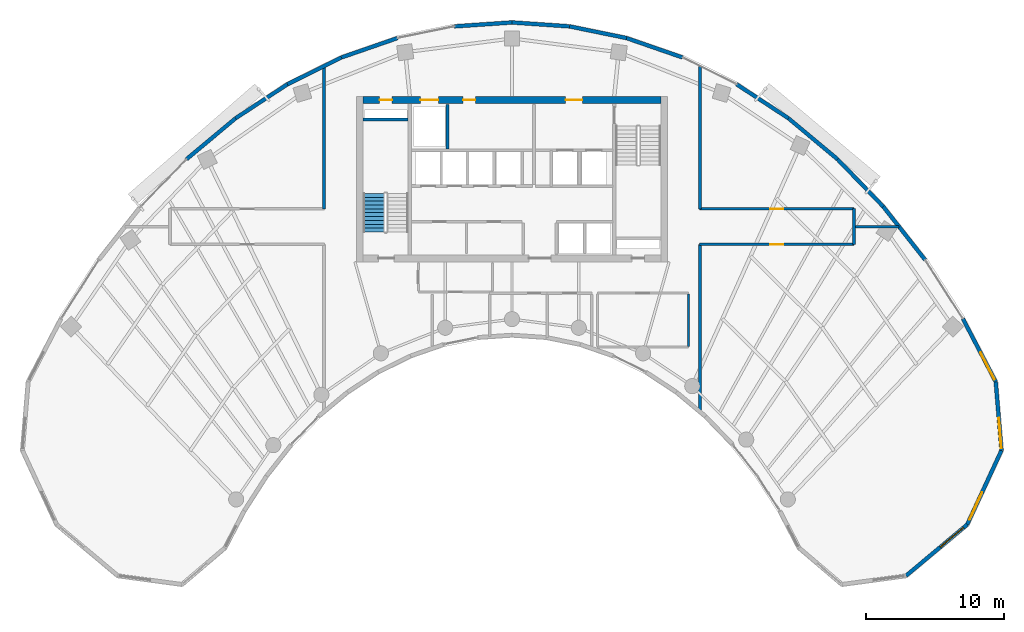
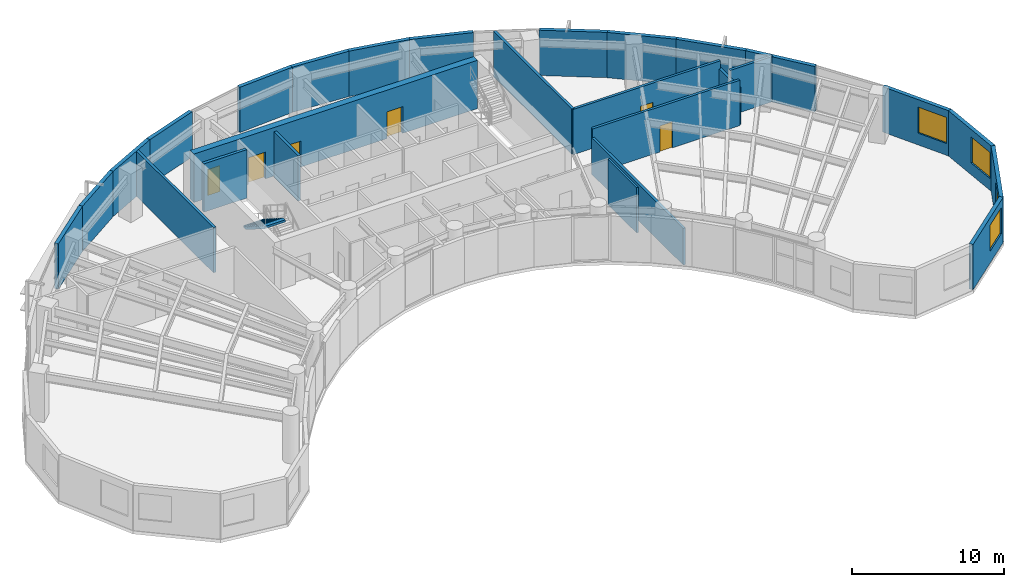
# One storey, part 10 of 13: 27 walls, 6 doors, 4 windows, 1 stair flight, 10 openings, 1 element without a shape of its own.
"""IFC4 building model written with IfcOpenShell, lengths in metres."""

from ifc_helpers import new_model, si_unit, direction, frame, frame_2d, origin, place, context, subcontext, project, spatial, polyline, rectangle, outline, extrude, source, transform, mapped, material, layer, layer_set, type_object, type_shapes, element, fill, aggregate, save


model = new_model("IFC4")

# Units and contexts
model_context = context("Model", 3, precision=1e-05, world=origin(), true_north=direction((0.0, 1.0)))
body_context = subcontext(model_context, "Body", "Model", "MODEL_VIEW")
ifc_project = project(units=[si_unit("LENGTHUNIT", "METRE"), si_unit("AREAUNIT", "SQUARE_METRE"), si_unit("VOLUMEUNIT", "CUBIC_METRE"), si_unit("PLANEANGLEUNIT", "RADIAN"), si_unit("MASSUNIT", "GRAM", prefix="KILO")], contexts=[model_context])

# Site, building, storey
site_placement = place(None, origin())
site = spatial("IfcSite", under=ifc_project, at=site_placement, CompositionType="ELEMENT")
building_placement = place(site_placement, origin())
building = spatial("IfcBuilding", under=site, at=building_placement, Name="Breltana Convention Tower", CompositionType="ELEMENT")
storey_placement = place(building_placement, frame((0.0, 0.0, 154.5)))
storey = spatial("IfcBuildingStorey", under=building, at=storey_placement, Name="L37", CompositionType="ELEMENT", Elevation=154.5)

# Wall, openings, doors
ifc_material_1 = material(Name="Concrete C60/75", Category="concrete")
ifc_layer_1 = layer(ifc_material_1, 0.5, Name="Concrete C60/75")
ifc_layer_set_1 = layer_set([ifc_layer_1], Name="Concrete C60/75")
wall_type_1 = type_object("IfcWallType", Name="SW-CORE-500", PredefinedType="SHEAR", material=ifc_layer_set_1)
shared_shape_1 = source(origin(), body_context, "Body", "SweptSolid", [
    extrude(rectangle(XDim=21.60009765625, YDim=0.5, at=frame_2d((10.800048828125, 0.0))), origin(), (0.0, 0.0, 1.0), 3.89990234375),
])
wall_1_placement = place(storey_placement, frame((37.199951171875, 71.949951171875, 0.0), z_axis=(0.0, 0.0, 1.0), x_axis=(1.0, 0.0, 0.0)))
wall_1 = element("IfcWall", 1, at=wall_1_placement, inside=storey, type_object=wall_type_1, Name="L37 North Core Shear Wall", PredefinedType="SHEAR", context=body_context, shape_type="MappedRepresentation", body=[
    mapped(shared_shape_1, transform((0.0, 0.0, 0.0), scale=1.0)),
])
opening_1_placement = place(wall_1_placement, frame((1.199951171875, 0.0, 0.0)))
opening_1 = element("IfcOpeningElement", 2, at=opening_1_placement, cuts=wall_1, Name="Opening D-18", PredefinedType="OPENING", context=body_context, shape_type="SweptSolid", body=[
    extrude(rectangle(XDim=0.89990234375, YDim=2.10009765625, at=frame_2d((0.449951171875, 1.050048828125))), frame((0.0, 0.260009765625, 0.0), z_axis=(0.0, -1.0, 0.0), x_axis=(1.0, 0.0, 0.0)), (0.0, 0.0, 1.0), 0.52001953125),
])
opening_2_placement = place(wall_1_placement, frame((14.699951171875, 0.0, 0.0)))
opening_2 = element("IfcOpeningElement", 3, at=opening_2_placement, cuts=wall_1, Name="Opening D-09", PredefinedType="OPENING", context=body_context, shape_type="SweptSolid", body=[
    extrude(rectangle(XDim=1.199951171875, YDim=2.14990234375, at=frame_2d((0.60009765625, 1.074951171875))), frame((0.0, 0.260009765625, 0.0), z_axis=(0.0, -1.0, 0.0), x_axis=(1.0, 0.0, 0.0)), (0.0, 0.0, 1.0), 0.52001953125),
])
opening_3_placement = place(wall_1_placement, frame((4.14990234375, 0.0, 0.0)))
opening_3 = element("IfcOpeningElement", 4, at=opening_3_placement, cuts=wall_1, Name="Opening LD-01", PredefinedType="OPENING", context=body_context, shape_type="SweptSolid", body=[
    extrude(rectangle(XDim=1.300048828125, YDim=2.14990234375, at=frame_2d((0.64990234375, 1.074951171875))), frame((0.0, 0.260009765625, 0.0), z_axis=(0.0, -1.0, 0.0), x_axis=(1.0, 0.0, 0.0)), (0.0, 0.0, 1.0), 0.52001953125),
])
opening_4_placement = place(wall_1_placement, frame((7.25, 0.0, 0.0)))
opening_4 = element("IfcOpeningElement", 5, at=opening_4_placement, cuts=wall_1, Name="Opening D-18", PredefinedType="OPENING", context=body_context, shape_type="SweptSolid", body=[
    extrude(rectangle(XDim=0.89990234375, YDim=2.10009765625, at=frame_2d((0.449951171875, 1.050048828125))), frame((0.0, 0.260009765625, 0.0), z_axis=(0.0, -1.0, 0.0), x_axis=(1.0, 0.0, 0.0)), (0.0, 0.0, 1.0), 0.52001953125),
])
ifc_material_2 = material(Name="Steel Riser Fire Door", Category="steel")
door_type_1 = type_object("IfcDoorType", Name="DR-FD60-900", OperationType="NOTDEFINED", PredefinedType="DOOR", material=ifc_material_2)
shared_shape_2 = source(origin(), body_context, "Body", "SweptSolid", [
    extrude(rectangle(XDim=0.89990234375, YDim=2.10009765625, at=frame_2d((0.449951171875, 1.050048828125))), frame((0.0, 0.02490234375, 0.0), z_axis=(0.0, -1.0, 0.0), x_axis=(1.0, 0.0, 0.0)), (0.0, 0.0, 1.0), 0.050048828125),
])
type_shapes(door_type_1, [shared_shape_2])
door_1_placement = place(opening_1_placement, origin())
door_1 = element("IfcDoor", 6, at=door_1_placement, inside=storey, type_object=door_type_1, Name="L37 Core Riser Access Door D-L37-RS1", OperationType="SINGLE_SWING_LEFT", OverallHeight=2.10009765625, OverallWidth=0.89990234375, PredefinedType="DOOR", context=body_context, shape_type="MappedRepresentation", body=[
    mapped(shared_shape_2, transform((0.0, 0.0, 0.0), scale=1.0)),
])
fill(opening_1, door_1)
door_2_placement = place(opening_4_placement, origin())
door_2 = element("IfcDoor", 7, at=door_2_placement, inside=storey, type_object=door_type_1, Name="L37 interior door D-L37-CRA1", OperationType="SINGLE_SWING_LEFT", OverallHeight=2.10009765625, OverallWidth=0.89990234375, PredefinedType="DOOR", context=body_context, shape_type="MappedRepresentation", body=[
    mapped(shared_shape_2, transform((0.0, 0.0, 0.0), scale=1.0)),
])
fill(opening_4, door_2)
ifc_material_3 = material(Name="Steel Fire Lobby Door", Category="steel")
door_type_2 = type_object("IfcDoorType", Name="DR-FD120-1200", OperationType="NOTDEFINED", PredefinedType="DOOR", material=ifc_material_3)
shared_shape_3 = source(origin(), body_context, "Body", "SweptSolid", [
    extrude(rectangle(XDim=1.199951171875, YDim=2.14990234375, at=frame_2d((0.60009765625, 1.074951171875))), frame((0.0, 0.02490234375, 0.0), z_axis=(0.0, -1.0, 0.0), x_axis=(1.0, 0.0, 0.0)), (0.0, 0.0, 1.0), 0.050048828125),
])
type_shapes(door_type_2, [shared_shape_3])
door_3_placement = place(opening_2_placement, origin())
door_3 = element("IfcDoor", 8, at=door_3_placement, inside=storey, type_object=door_type_2, Name="L37 interior door D-L37-FFL-N", OperationType="SINGLE_SWING_RIGHT", OverallHeight=2.14990234375, OverallWidth=1.199951171875, PredefinedType="DOOR", context=body_context, shape_type="MappedRepresentation", body=[
    mapped(shared_shape_3, transform((0.0, 0.0, 0.0), scale=1.0)),
])
fill(opening_2, door_3)
ifc_material_4 = material(Name="Stainless Steel Brushed", Category="steel")
door_type_3 = type_object("IfcDoorType", Name="DR-LD-SRV-1300", OperationType="DOUBLE_DOOR_SLIDING", PredefinedType="DOOR", material=ifc_material_4)
shared_shape_4 = source(origin(), body_context, "Body", "SweptSolid", [
    extrude(rectangle(XDim=1.300048828125, YDim=2.14990234375, at=frame_2d((0.64990234375, 1.074951171875))), frame((0.0, 0.02490234375, 0.0), z_axis=(0.0, -1.0, 0.0), x_axis=(1.0, 0.0, 0.0)), (0.0, 0.0, 1.0), 0.050048828125),
])
type_shapes(door_type_3, [shared_shape_4])
door_4_placement = place(opening_3_placement, origin())
door_4 = element("IfcDoor", 9, at=door_4_placement, inside=storey, type_object=door_type_3, Name="L37 Lift Landing Door D-L37-LD-SV1", OperationType="DOUBLE_DOOR_SLIDING", OverallHeight=2.14990234375, OverallWidth=1.300048828125, PredefinedType="DOOR", context=body_context, shape_type="MappedRepresentation", body=[
    mapped(shared_shape_4, transform((0.0, 0.0, 0.0), scale=1.0)),
])
fill(opening_3, door_4)

# Wall
ifc_material_5 = material(Name="Concrete C50/60", Category="concrete")
ifc_layer_2 = layer(ifc_material_5, 0.39990234375, Name="Concrete C50/60")
ifc_layer_set_2 = layer_set([ifc_layer_2], Name="Concrete C50/60")
wall_type_2 = type_object("IfcWallType", Name="SW-CORE-400", PredefinedType="SHEAR", material=ifc_layer_set_2)
shared_shape_5 = source(origin(), body_context, "Body", "SweptSolid", [
    extrude(rectangle(XDim=3.27001953125, YDim=0.219970703125, at=frame_2d((1.635009765625, 0.0))), origin(), (0.0, 0.0, 1.0), 3.89990234375),
])
wall_2_placement = place(storey_placement, frame((37.199951171875, 70.510009765625, 0.0), z_axis=(0.0, 0.0, 1.0), x_axis=(1.0, 0.0, 0.0)))
element("IfcWall", 10, at=wall_2_placement, inside=storey, type_object=wall_type_2, Name="L37 ST-1 Stairwell North Bearing Wall", PredefinedType="SHEAR", context=body_context, shape_type="MappedRepresentation", body=[
    mapped(shared_shape_5, transform((0.0, 0.0, 0.0), scale=1.0)),
])

# Wall, opening, window
ifc_material_6 = material(Name="Limestone Buff Insulated Wall", Category="masonry")
ifc_layer_3 = layer(ifc_material_6, 0.280029296875, Name="Limestone Buff Insulated Wall")
ifc_layer_set_3 = layer_set([ifc_layer_3], Name="Limestone Buff Insulated Wall")
wall_type_3 = type_object("IfcWallType", Name="WL-EXT-NOSE-280", PredefinedType="SOLIDWALL", material=ifc_layer_set_3)
shared_shape_6 = source(origin(), body_context, "Body", "SweptSolid", [
    extrude(rectangle(XDim=4.994384765625, YDim=0.280029296875, at=frame_2d((2.4970703125, 0.0))), origin(), (0.0, 0.0, 1.0), 3.64990234375),
])
wall_3_placement = place(storey_placement, frame((83.102294921875, 51.48876953125, 0.0), z_axis=(0.0, 0.0, 1.0), x_axis=(0.083344839916, -0.996520766296, 0.0)))
wall_3 = element("IfcWall", 11, at=wall_3_placement, inside=storey, type_object=wall_type_3, Name="L37 curved limestone nose wall E1", PredefinedType="SOLIDWALL", context=body_context, shape_type="MappedRepresentation", body=[
    mapped(shared_shape_6, transform((0.0, 0.0, 0.0), scale=1.0)),
])
opening_5_placement = place(wall_3_placement, frame((2.634521484375, 0.0, 0.949951171875)))
opening_5 = element("IfcOpeningElement", 12, at=opening_5_placement, cuts=wall_3, Name="Opening W-03", PredefinedType="OPENING", context=body_context, shape_type="SweptSolid", body=[
    extrude(rectangle(XDim=2.199951171875, YDim=2.10009765625, at=frame_2d((1.10009765625, 1.050048828125))), frame((0.0, 0.14990234375, 0.0), z_axis=(0.0, -1.0, 0.0), x_axis=(1.0, 0.0, 0.0)), (0.0, 0.0, 1.0), 0.300048828125),
])
ifc_material_7 = material(Name="Glass Low-E Insulated Window", Category="glass")
window_type = type_object("IfcWindowType", Name="WN-NOSE-2200X2100", PartitioningType="TRIPLE_PANEL_VERTICAL", PredefinedType="WINDOW", material=ifc_material_7)
shared_shape_7 = source(origin(), body_context, "Body", "SweptSolid", [
    extrude(rectangle(XDim=2.199951171875, YDim=2.10009765625, at=frame_2d((1.10009765625, 1.050048828125))), frame((0.0, 0.030029296875, 0.0), z_axis=(0.0, -1.0, 0.0), x_axis=(1.0, 0.0, 0.0)), (0.0, 0.0, 1.0), 0.06005859375),
])
type_shapes(window_type, [shared_shape_7])
window_1_placement = place(opening_5_placement, origin())
window_1 = element("IfcWindow", 13, at=window_1_placement, inside=storey, type_object=window_type, Name="L37 nose window E1", OverallHeight=2.10009765625, OverallWidth=2.199951171875, PartitioningType="TRIPLE_PANEL_VERTICAL", PredefinedType="WINDOW", context=body_context, shape_type="MappedRepresentation", body=[
    mapped(shared_shape_7, transform((0.0, 0.0, 0.0), scale=1.0)),
])
fill(opening_5, window_1)

shared_shape_8 = source(origin(), body_context, "Body", "SweptSolid", [
    extrude(rectangle(XDim=5.927490234375, YDim=0.280029296875, at=frame_2d((2.9638671875, 0.0))), origin(), (0.0, 0.0, 1.0), 3.64990234375),
])
wall_4_placement = place(storey_placement, frame((83.5185546875, 46.51171875, 0.0), z_axis=(0.0, 0.0, 1.0), x_axis=(-0.419656204795, -0.907683132914, 0.0)))
wall_4 = element("IfcWall", 14, at=wall_4_placement, inside=storey, type_object=wall_type_3, Name="L37 curved limestone nose wall E2", PredefinedType="SOLIDWALL", context=body_context, shape_type="MappedRepresentation", body=[
    mapped(shared_shape_8, transform((0.0, 0.0, 0.0), scale=1.0)),
])
opening_6_placement = place(wall_4_placement, frame((3.345703125, 0.0, 0.949951171875)))
opening_6 = element("IfcOpeningElement", 15, at=opening_6_placement, cuts=wall_4, Name="Opening W-03", PredefinedType="OPENING", context=body_context, shape_type="SweptSolid", body=[
    extrude(rectangle(XDim=2.199951171875, YDim=2.10009765625, at=frame_2d((1.10009765625, 1.050048828125))), frame((0.0, 0.14990234375, 0.0), z_axis=(0.0, -1.0, 0.0), x_axis=(1.0, 0.0, 0.0)), (0.0, 0.0, 1.0), 0.300048828125),
])
window_2_placement = place(opening_6_placement, origin())
window_2 = element("IfcWindow", 16, at=window_2_placement, inside=storey, type_object=window_type, Name="L37 nose window E2", OverallHeight=2.10009765625, OverallWidth=2.199951171875, PartitioningType="TRIPLE_PANEL_VERTICAL", PredefinedType="WINDOW", context=body_context, shape_type="MappedRepresentation", body=[
    mapped(shared_shape_7, transform((0.0, 0.0, 0.0), scale=1.0)),
])
fill(opening_6, window_2)

shared_shape_9 = source(origin(), body_context, "Body", "SweptSolid", [
    extrude(rectangle(XDim=5.786376953125, YDim=0.280029296875, at=frame_2d((2.89306640625, 0.0))), origin(), (0.0, 0.0, 1.0), 3.64990234375),
])
wall_5_placement = place(storey_placement, frame((81.031005859375, 41.13134765625, 0.0), z_axis=(0.0, 0.0, 1.0), x_axis=(-0.766711306852, -0.641992034176, 0.0)))
wall_5 = element("IfcWall", 17, at=wall_5_placement, inside=storey, type_object=wall_type_3, Name="L37 curved limestone nose wall E3", PredefinedType="SOLIDWALL", context=body_context, shape_type="MappedRepresentation", body=[
    mapped(shared_shape_9, transform((0.0, 0.0, 0.0), scale=1.0)),
])
opening_7_placement = place(wall_5_placement, frame((0.3466796875, 0.0, 0.949951171875)))
opening_7 = element("IfcOpeningElement", 18, at=opening_7_placement, cuts=wall_5, Name="Opening W-03", PredefinedType="OPENING", context=body_context, shape_type="SweptSolid", body=[
    extrude(rectangle(XDim=2.199951171875, YDim=2.10009765625, at=frame_2d((1.10009765625, 1.050048828125))), frame((0.0, 0.14990234375, 0.0), z_axis=(0.0, -1.0, 0.0), x_axis=(1.0, 0.0, 0.0)), (0.0, 0.0, 1.0), 0.300048828125),
])
window_3_placement = place(opening_7_placement, origin())
window_3 = element("IfcWindow", 19, at=window_3_placement, inside=storey, type_object=window_type, Name="L37 nose window E3", OverallHeight=2.10009765625, OverallWidth=2.199951171875, PartitioningType="TRIPLE_PANEL_VERTICAL", PredefinedType="WINDOW", context=body_context, shape_type="MappedRepresentation", body=[
    mapped(shared_shape_7, transform((0.0, 0.0, 0.0), scale=1.0)),
])
fill(opening_7, window_3)

shared_shape_10 = source(origin(), body_context, "Body", "SweptSolid", [
    extrude(rectangle(XDim=5.1708984375, YDim=0.280029296875, at=frame_2d((2.58544921875, 0.0))), origin(), (0.0, 0.0, 1.0), 3.64990234375),
])
wall_6_placement = place(storey_placement, frame((80.714599609375, 56.075439453125, 0.0), z_axis=(0.0, 0.0, 1.0), x_axis=(0.461752581363, -0.887008767491, 0.0)))
wall_6 = element("IfcWall", 20, at=wall_6_placement, inside=storey, type_object=wall_type_3, Name="L37 curved limestone nose wall E33", PredefinedType="SOLIDWALL", context=body_context, shape_type="MappedRepresentation", body=[
    mapped(shared_shape_10, transform((0.0, 0.0, 0.0), scale=1.0)),
])
opening_8_placement = place(wall_6_placement, frame((2.7783203125, 0.0, 0.949951171875)))
opening_8 = element("IfcOpeningElement", 21, at=opening_8_placement, cuts=wall_6, Name="Opening W-03", PredefinedType="OPENING", context=body_context, shape_type="SweptSolid", body=[
    extrude(rectangle(XDim=2.199951171875, YDim=2.10009765625, at=frame_2d((1.10009765625, 1.050048828125))), frame((0.0, 0.14990234375, 0.0), z_axis=(0.0, -1.0, 0.0), x_axis=(1.0, 0.0, 0.0)), (0.0, 0.0, 1.0), 0.300048828125),
])
window_4_placement = place(opening_8_placement, origin())
window_4 = element("IfcWindow", 22, at=window_4_placement, inside=storey, type_object=window_type, Name="L37 nose window E33", OverallHeight=2.10009765625, OverallWidth=2.199951171875, PartitioningType="TRIPLE_PANEL_VERTICAL", PredefinedType="WINDOW", context=body_context, shape_type="MappedRepresentation", body=[
    mapped(shared_shape_7, transform((0.0, 0.0, 0.0), scale=1.0)),
])
fill(opening_8, window_4)

# Walls
shared_shape_11 = source(origin(), body_context, "Body", "SweptSolid", [
    extrude(rectangle(XDim=4.921630859375, YDim=0.280029296875, at=frame_2d((2.4609375, 0.0))), origin(), (0.0, 0.0, 1.0), 3.64990234375),
])
wall_7_placement = place(storey_placement, frame((74.936279296875, 64.206298828125, 0.0), z_axis=(0.0, 0.0, 1.0), x_axis=(0.61817639101, -0.786039407153, 0.0)))
element("IfcWall", 23, at=wall_7_placement, inside=storey, type_object=wall_type_3, Name="L37 curved limestone nose wall E32", PredefinedType="SOLIDWALL", context=body_context, shape_type="MappedRepresentation", body=[
    mapped(shared_shape_11, transform((0.0, 0.0, 0.0), scale=1.0)),
])
shared_shape_12 = source(origin(), body_context, "Body", "SweptSolid", [
    extrude(rectangle(XDim=4.77587890625, YDim=0.280029296875, at=frame_2d((2.387939453125, 0.0))), origin(), (0.0, 0.0, 1.0), 3.64990234375),
])
wall_8_placement = place(storey_placement, frame((71.618896484375, 67.64208984375, 0.0), z_axis=(0.0, 0.0, 1.0), x_axis=(0.694601811851, -0.719394414055, 0.0)))
element("IfcWall", 24, at=wall_8_placement, inside=storey, type_object=wall_type_3, Name="L37 curved limestone nose wall E31", PredefinedType="SOLIDWALL", context=body_context, shape_type="MappedRepresentation", body=[
    mapped(shared_shape_12, transform((0.0, 0.0, 0.0), scale=1.0)),
])
shared_shape_13 = source(origin(), body_context, "Body", "SweptSolid", [
    extrude(rectangle(XDim=4.633544921875, YDim=0.280029296875, at=frame_2d((2.31689453125, 0.0))), origin(), (0.0, 0.0, 1.0), 3.64990234375),
])
for number, where, z_axis, x_axis, name in (
    (25, (24.381103515625, 67.64208984375, 0.0), (0.0, 0.0, 1.0), (0.767910229096, 0.640557475993, 0.0), "L37 curved limestone nose wall E21"),
    (26, (68.060791015625, 70.610107421875, 0.0), (0.0, 0.0, 1.0), (0.767910229096, -0.640557475993, 0.0), "L37 curved limestone nose wall E30"),
):
    element("IfcWall", number, at=place(storey_placement, frame(where, z_axis=z_axis, x_axis=x_axis)), inside=storey, type_object=wall_type_3, Name=name, PredefinedType="SOLIDWALL", context=body_context, shape_type="MappedRepresentation", body=[
        mapped(shared_shape_13, transform((0.0, 0.0, 0.0), scale=1.0)),
    ])
shared_shape_14 = source(origin(), body_context, "Body", "SweptSolid", [
    extrude(rectangle(XDim=4.500732421875, YDim=0.280029296875, at=frame_2d((2.25048828125, 0.0))), origin(), (0.0, 0.0, 1.0), 3.64990234375),
])
for number, where, z_axis, x_axis, name in (
    (27, (27.939208984375, 70.610107421875, 0.0), (0.0, 0.0, 1.0), (0.835984920737, 0.548752414391, 0.0), "L37 curved limestone nose wall E22"),
    (28, (64.29833984375, 73.079833984375, 0.0), (0.0, 0.0, 1.0), (0.835984920737, -0.548752414391, 0.0), "L37 curved limestone nose wall E29"),
):
    element("IfcWall", number, at=place(storey_placement, frame(where, z_axis=z_axis, x_axis=x_axis)), inside=storey, type_object=wall_type_3, Name=name, PredefinedType="SOLIDWALL", context=body_context, shape_type="MappedRepresentation", body=[
        mapped(shared_shape_14, transform((0.0, 0.0, 0.0), scale=1.0)),
    ])
shared_shape_15 = source(origin(), body_context, "Body", "SweptSolid", [
    extrude(rectangle(XDim=4.289794921875, YDim=0.280029296875, at=frame_2d((2.14501953125, 0.0))), origin(), (0.0, 0.0, 1.0), 3.64990234375),
])
for number, where, z_axis, x_axis, name in (
    (29, (35.629638671875, 75.02685546875, 0.0), (0.0, 0.0, 1.0), (0.944883859218, 0.3274057003, 0.0), "L37 curved limestone nose wall E24"),
    (30, (56.31689453125, 76.431396484375, 0.0), (0.0, 0.0, 1.0), (0.944883859218, -0.3274057003, 0.0), "L37 curved limestone nose wall E28"),
):
    element("IfcWall", number, at=place(storey_placement, frame(where, z_axis=z_axis, x_axis=x_axis)), inside=storey, type_object=wall_type_3, Name=name, PredefinedType="SOLIDWALL", context=body_context, shape_type="MappedRepresentation", body=[
        mapped(shared_shape_15, transform((0.0, 0.0, 0.0), scale=1.0)),
    ])
shared_shape_16 = source(origin(), body_context, "Body", "SweptSolid", [
    extrude(rectangle(XDim=4.223388671875, YDim=0.280029296875, at=frame_2d((2.11181640625, 0.0))), origin(), (0.0, 0.0, 1.0), 3.64990234375),
])
wall_9_placement = place(storey_placement, frame((52.1796875, 77.27978515625, 0.0), z_axis=(0.0, 0.0, 1.0), x_axis=(0.979615245085, -0.200882979858, 0.0)))
element("IfcWall", 31, at=wall_9_placement, inside=storey, type_object=wall_type_3, Name="L37 curved limestone nose wall E27", PredefinedType="SOLIDWALL", context=body_context, shape_type="MappedRepresentation", body=[
    mapped(shared_shape_16, transform((0.0, 0.0, 0.0), scale=1.0)),
])
shared_shape_17 = source(origin(), body_context, "Body", "SweptSolid", [
    extrude(rectangle(XDim=4.189208984375, YDim=0.280029296875, at=frame_2d((2.0947265625, 0.0))), origin(), (0.0, 0.0, 1.0), 3.64990234375),
])
for number, where, z_axis, x_axis, name in (
    (32, (43.8203125, 77.27978515625, 0.0), (0.0, 0.0, 1.0), (0.997700560699, 0.067776036921, 0.0), "L37 curved limestone nose wall E25"),
    (33, (48.0, 77.563720703125, 0.0), (0.0, 0.0, 1.0), (0.997700560699, -0.067776036921, 0.0), "L37 curved limestone nose wall E26"),
):
    element("IfcWall", number, at=place(storey_placement, frame(where, z_axis=z_axis, x_axis=x_axis)), inside=storey, type_object=wall_type_3, Name=name, PredefinedType="SOLIDWALL", context=body_context, shape_type="MappedRepresentation", body=[
        mapped(shared_shape_17, transform((0.0, 0.0, 0.0), scale=1.0)),
    ])
shared_shape_18 = source(origin(), body_context, "Body", "SweptSolid", [
    extrude(rectangle(XDim=4.384033203125, YDim=0.280029296875, at=frame_2d((2.19189453125, 0.0))), origin(), (0.0, 0.0, 1.0), 3.64990234375),
])
wall_10_placement = place(storey_placement, frame((31.70166015625, 73.079833984375, 0.0), z_axis=(0.0, 0.0, 1.0), x_axis=(0.895969968053, 0.444114643248, 0.0)))
element("IfcWall", 34, at=wall_10_placement, inside=storey, type_object=wall_type_3, Name="L37 curved limestone nose wall E23", PredefinedType="SOLIDWALL", context=body_context, shape_type="MappedRepresentation", body=[
    mapped(shared_shape_18, transform((0.0, 0.0, 0.0), scale=1.0)),
])
ifc_material_8 = material(Name="Autoclaved Aerated Concrete Block", Category="concrete")
ifc_layer_4 = layer(ifc_material_8, 0.199951171875, Name="Autoclaved Aerated Concrete Block")
ifc_layer_set_4 = layer_set([ifc_layer_4], Name="Autoclaved Aerated Concrete Block")
wall_type_4 = type_object("IfcWallType", Name="WL-SHAFT-200", PredefinedType="SOLIDWALL", material=ifc_layer_set_4)
shared_shape_19 = source(origin(), body_context, "Body", "SweptSolid", [
    extrude(rectangle(XDim=3.2001953125, YDim=0.199951171875, at=frame_2d((1.60009765625, 0.0))), origin(), (0.0, 0.0, 1.0), 3.64990234375),
])
wall_11_placement = place(storey_placement, frame((43.320068359375, 68.39990234375, 0.0), z_axis=(0.0, 0.0, 1.0), x_axis=(0.0, 1.0, 0.0)))
element("IfcWall", 35, at=wall_11_placement, inside=storey, type_object=wall_type_4, Name="L37 interior partition W-L37-SV-E", PredefinedType="SOLIDWALL", context=body_context, shape_type="MappedRepresentation", body=[
    mapped(shared_shape_19, transform((0.0, 0.0, 0.0), scale=1.0)),
])
ifc_material_9 = material(Name="Gypsum Acoustic Drywall Partition")
ifc_layer_5 = layer(ifc_material_9, 0.14990234375, Name="Gypsum Acoustic Drywall Partition")
ifc_layer_set_5 = layer_set([ifc_layer_5], Name="Gypsum Acoustic Drywall Partition")
wall_type_5 = type_object("IfcWallType", Name="WL-PART-150", PredefinedType="PARTITIONING", material=ifc_layer_set_5)
shared_shape_20 = source(origin(), body_context, "Body", "SweptSolid", [
    extrude(rectangle(XDim=3.78515625, YDim=0.14990234375, at=frame_2d((1.892578125, 0.0))), origin(), (0.0, 0.0, 1.0), 3.64990234375),
])
wall_12_placement = place(storey_placement, frame((60.800048828125, 54.0673828125, 0.0), z_axis=(0.0, 0.0, 1.0), x_axis=(0.0, 1.0, 0.0)))
element("IfcWall", 36, at=wall_12_placement, inside=storey, type_object=wall_type_5, Name="L37 interior partition W-L37-PNT-E", PredefinedType="PARTITIONING", context=body_context, shape_type="MappedRepresentation", body=[
    mapped(shared_shape_20, transform((0.0, 0.0, 0.0), scale=1.0)),
])

# Wall, opening, door
ifc_material_10 = material(Name="Gypsum Acoustic Hotel Wall")
ifc_layer_6 = layer(ifc_material_10, 0.195068359375, Name="Gypsum Acoustic Hotel Wall")
ifc_layer_set_6 = layer_set([ifc_layer_6], Name="Gypsum Acoustic Hotel Wall")
wall_type_6 = type_object("IfcWallType", Name="WL-HOTEL-200", PredefinedType="PARTITIONING", material=ifc_layer_set_6)
shared_shape_21 = source(origin(), body_context, "Body", "SweptSolid", [
    extrude(rectangle(XDim=11.219970703125, YDim=0.195068359375, at=frame_2d((5.60986328125, 0.0))), origin(), (0.0, 0.0, 1.0), 3.64990234375),
])
wall_13_placement = place(storey_placement, frame((61.60009765625, 64.0400390625, 0.0), z_axis=(0.0, 0.0, 1.0), x_axis=(1.0, 0.0, 0.0)))
wall_13 = element("IfcWall", 37, at=wall_13_placement, inside=storey, type_object=wall_type_6, Name="L37 interior partition W-L37-ZEN1-D", PredefinedType="PARTITIONING", context=body_context, shape_type="MappedRepresentation", body=[
    mapped(shared_shape_21, transform((0.0, 0.0, 0.0), scale=1.0)),
])
opening_9_placement = place(wall_13_placement, frame((5.135009765625, 0.0, 0.0)))
opening_9 = element("IfcOpeningElement", 38, at=opening_9_placement, cuts=wall_13, Name="Opening D-17", PredefinedType="OPENING", context=body_context, shape_type="SweptSolid", body=[
    extrude(rectangle(XDim=0.949951171875, YDim=2.10009765625, at=frame_2d((0.47509765625, 1.050048828125))), frame((0.0, 0.107421875, 0.0), z_axis=(0.0, -1.0, 0.0), x_axis=(1.0, 0.0, 0.0)), (0.0, 0.0, 1.0), 0.215087890625),
])
ifc_material_11 = material(Name="Timber Oak Veneer Door", Category="wood")
door_type_4 = type_object("IfcDoorType", Name="DR-INT-950", OperationType="NOTDEFINED", PredefinedType="DOOR", material=ifc_material_11)
shared_shape_22 = source(origin(), body_context, "Body", "SweptSolid", [
    extrude(rectangle(XDim=0.949951171875, YDim=2.10009765625, at=frame_2d((0.47509765625, 1.050048828125))), frame((0.0, 0.02490234375, 0.0), z_axis=(0.0, -1.0, 0.0), x_axis=(1.0, 0.0, 0.0)), (0.0, 0.0, 1.0), 0.050048828125),
])
type_shapes(door_type_4, [shared_shape_22])
door_5_placement = place(opening_9_placement, origin())
door_5 = element("IfcDoor", 39, at=door_5_placement, inside=storey, type_object=door_type_4, Name="L37 interior door D-L37-ZEN1", OperationType="SINGLE_SWING_LEFT", OverallHeight=2.10009765625, OverallWidth=0.949951171875, PredefinedType="DOOR", context=body_context, shape_type="MappedRepresentation", body=[
    mapped(shared_shape_22, transform((0.0, 0.0, 0.0), scale=1.0)),
])
fill(opening_9, door_5)

wall_14_placement = place(storey_placement, frame((61.60009765625, 61.4599609375, 0.0), z_axis=(0.0, 0.0, 1.0), x_axis=(1.0, 0.0, 0.0)))
wall_14 = element("IfcWall", 40, at=wall_14_placement, inside=storey, type_object=wall_type_6, Name="L37 interior partition W-L37-ZES1-D", PredefinedType="PARTITIONING", context=body_context, shape_type="MappedRepresentation", body=[
    mapped(shared_shape_21, transform((0.0, 0.0, 0.0), scale=1.0)),
])
opening_10_placement = place(wall_14_placement, frame((5.135009765625, 0.0, 0.0)))
opening_10 = element("IfcOpeningElement", 41, at=opening_10_placement, cuts=wall_14, Name="Opening D-17", PredefinedType="OPENING", context=body_context, shape_type="SweptSolid", body=[
    extrude(rectangle(XDim=0.949951171875, YDim=2.10009765625, at=frame_2d((0.47509765625, 1.050048828125))), frame((0.0, 0.107421875, 0.0), z_axis=(0.0, -1.0, 0.0), x_axis=(1.0, 0.0, 0.0)), (0.0, 0.0, 1.0), 0.215087890625),
])
door_6_placement = place(opening_10_placement, origin())
door_6 = element("IfcDoor", 42, at=door_6_placement, inside=storey, type_object=door_type_4, Name="L37 interior door D-L37-ZES1", OperationType="SINGLE_SWING_RIGHT", OverallHeight=2.10009765625, OverallWidth=0.949951171875, PredefinedType="DOOR", context=body_context, shape_type="MappedRepresentation", body=[
    mapped(shared_shape_22, transform((0.0, 0.0, 0.0), scale=1.0)),
])
fill(opening_10, door_6)

# Walls
shared_shape_23 = source(origin(), body_context, "Body", "SweptSolid", [
    extrude(rectangle(XDim=10.346435546875, YDim=0.195068359375, at=frame_2d((5.17333984375, 0.0))), origin(), (0.0, 0.0, 1.0), 3.64990234375),
])
for number, where, z_axis, x_axis, name in (
    (43, (34.360107421875, 64.0400390625, 0.0), (0.0, 0.0, 1.0), (0.0, 1.0, 0.0), "L37 interior partition W-L37-ZODD-WN"),
    (44, (61.639892578125, 64.0400390625, 0.0), (0.0, 0.0, 1.0), (0.0, 1.0, 0.0), "L37 interior partition W-L37-ZODD-EN"),
):
    element("IfcWall", number, at=place(storey_placement, frame(where, z_axis=z_axis, x_axis=x_axis)), inside=storey, type_object=wall_type_6, Name=name, PredefinedType="PARTITIONING", context=body_context, shape_type="MappedRepresentation", body=[
        mapped(shared_shape_23, transform((0.0, 0.0, 0.0), scale=1.0)),
    ])
shared_shape_24 = source(origin(), body_context, "Body", "SweptSolid", [
    extrude(rectangle(XDim=12.126220703125, YDim=0.195068359375, at=frame_2d((6.06298828125, 0.0))), origin(), (0.0, 0.0, 1.0), 2.94189453125),
])
wall_15_placement = place(storey_placement, frame((61.639892578125, 49.333740234375, 0.0), z_axis=(0.0, 0.0, 1.0), x_axis=(0.0, 1.0, 0.0)))
element("IfcWall", 45, at=wall_15_placement, inside=storey, type_object=wall_type_6, Name="L37 interior partition W-L37-ZODD-EC", PredefinedType="PARTITIONING", context=body_context, shape_type="MappedRepresentation", body=[
    mapped(shared_shape_24, transform((0.0, 0.0, 0.0), scale=1.0)),
])
shared_shape_25 = source(origin(), body_context, "Body", "SweptSolid", [
    extrude(rectangle(XDim=3.248779296875, YDim=0.195068359375, at=frame_2d((1.62451171875, 0.0))), origin(), (0.0, 0.0, 1.0), 3.64990234375),
])
wall_16_placement = place(storey_placement, frame((72.820068359375, 62.75, 0.0), z_axis=(0.0, 0.0, 1.0), x_axis=(1.0, 0.0, 0.0)))
element("IfcWall", 46, at=wall_16_placement, inside=storey, type_object=wall_type_6, Name="L37 interior partition W-L37-ZFE-EXT", PredefinedType="PARTITIONING", context=body_context, shape_type="MappedRepresentation", body=[
    mapped(shared_shape_25, transform((0.0, 0.0, 0.0), scale=1.0)),
])
shared_shape_26 = source(origin(), body_context, "Body", "SweptSolid", [
    extrude(rectangle(XDim=2.6201171875, YDim=0.195068359375, at=frame_2d((1.31005859375, 0.0))), origin(), (0.0, 0.0, 1.0), 3.02197265625),
])
wall_17_placement = place(storey_placement, frame((72.820068359375, 61.43994140625, 0.0), z_axis=(0.0, 0.0, 1.0), x_axis=(0.0, 1.0, 0.0)))
element("IfcWall", 47, at=wall_17_placement, inside=storey, type_object=wall_type_6, Name="L37 interior partition W-L37-ZFE-CAP", PredefinedType="PARTITIONING", context=body_context, shape_type="MappedRepresentation", body=[
    mapped(shared_shape_26, transform((0.0, 0.0, 0.0), scale=1.0)),
])

# Stair, stair flight
ifc_material_12 = material(Name="Concrete C40/50", Category="concrete")
stair_type = type_object("IfcStairType", Name="ST-DOG-1560-R177", PredefinedType="HALF_TURN_STAIR", material=ifc_material_12)
stair_placement = place(storey_placement, origin())
stair = element("IfcStair", 48, at=stair_placement, inside=storey, type_object=stair_type, Name="L37 Protected Core Exit Stair ST-1", PredefinedType="HALF_TURN_STAIR")
stair_flight_type = type_object("IfcStairFlightType", Name="STF-DOG-1560-N11-R177", PredefinedType="STRAIGHT", material=ifc_material_12)
stair_flight_placement = place(storey_placement, frame((37.97998046875, 65.159912109375, 1.949951171875), z_axis=(0.0, 0.0, 1.0), x_axis=(0.0, -1.0, 0.0)))
stair_flight = element("IfcStairFlight", 49, at=stair_flight_placement, type_object=stair_flight_type, Name="ST-1 flight 2", NumberOfRisers=11, NumberOfTreads=10, PredefinedType="STRAIGHT", RiserHeight=0.177272727, TreadLength=0.28, context=body_context, shape_type="SweptSolid", body=[
    extrude(outline(polyline([(0.0, 0.0), (0.0, 0.17724609375), (0.280029296875, 0.17724609375), (0.280029296875, 0.3544921875), (0.56005859375, 0.3544921875), (0.56005859375, 0.53173828125), (0.840087890625, 0.53173828125), (0.840087890625, 0.708984375), (1.1201171875, 0.708984375), (1.1201171875, 0.886474609375), (1.39990234375, 0.886474609375), (1.39990234375, 1.063720703125), (1.679931640625, 1.063720703125), (1.679931640625, 1.240966796875), (1.9599609375, 1.240966796875), (1.9599609375, 1.418212890625), (2.239990234375, 1.418212890625), (2.239990234375, 1.595458984375), (2.52001953125, 1.595458984375), (2.52001953125, 1.772705078125), (2.800048828125, 1.772705078125), (2.800048828125, 1.949951171875), (2.800048828125, 1.59521484375), (0.2802734375, 0.0), (0.0, 0.0)])), frame((0.0, 0.780029296875, 0.0), z_axis=(0.0, -1.0, 0.0), x_axis=(1.0, 0.0, 0.0)), (0.0, 0.0, 1.0), 1.56005859375),
])
aggregate(stair, [stair_flight])

save(model, "model.ifc")
